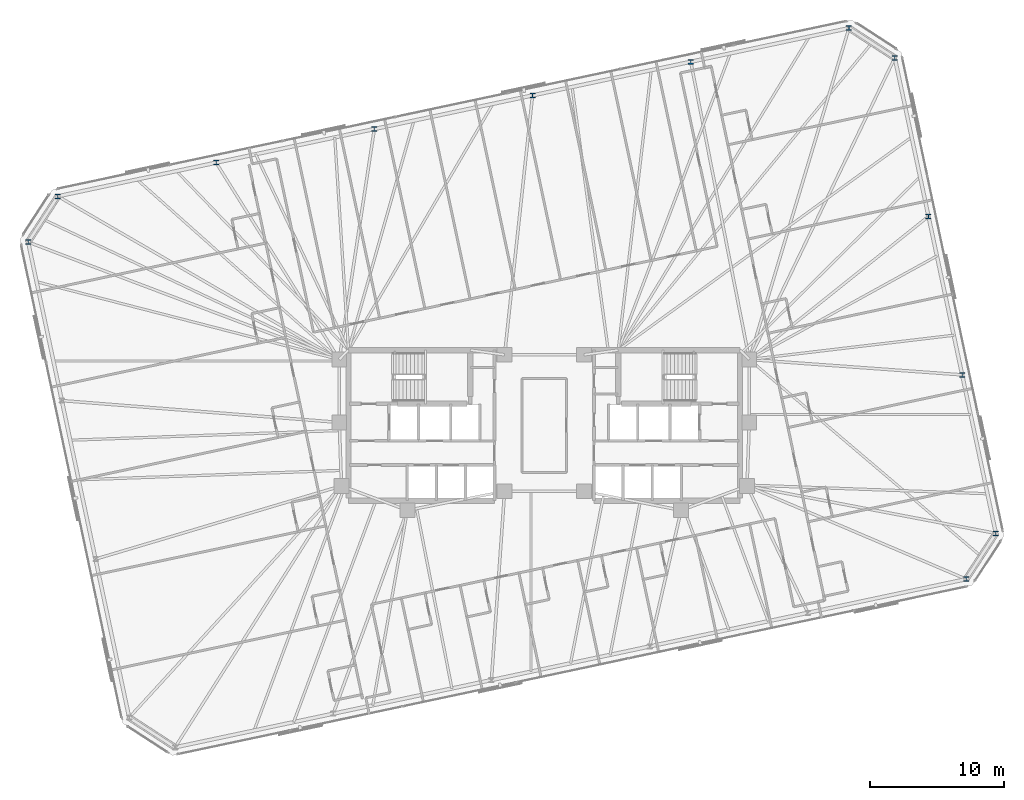
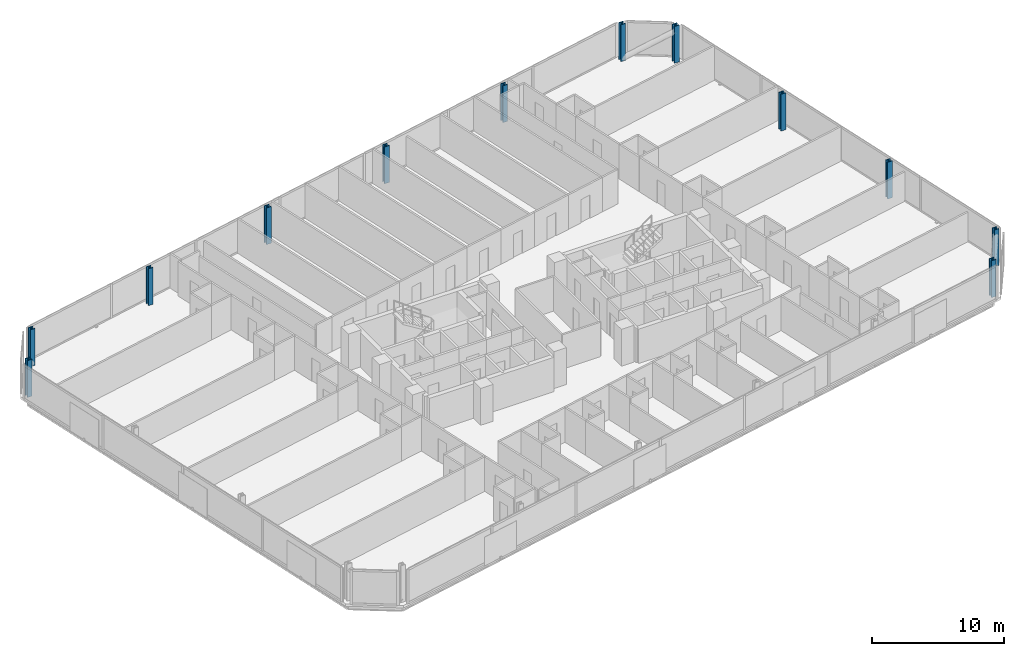
# One storey, part 5 of 21: 12 columns.
"""IFC4 building model written with IfcOpenShell, lengths in metres."""

from ifc_helpers import new_model, si_unit, direction, frame, origin, origin_2d, place, context, subcontext, project, spatial, i_section, extrude, material, material_profile, profile_set, type_object, element, save


model = new_model("IFC4")

# Units and contexts
model_context = context("Model", 3, precision=1e-05, world=origin(), true_north=direction((0.0, 1.0)))
body_context = subcontext(model_context, "Body", "Model", "MODEL_VIEW")
ifc_project = project(units=[si_unit("LENGTHUNIT", "METRE"), si_unit("AREAUNIT", "SQUARE_METRE"), si_unit("VOLUMEUNIT", "CUBIC_METRE"), si_unit("PLANEANGLEUNIT", "RADIAN"), si_unit("MASSUNIT", "GRAM", prefix="KILO")], contexts=[model_context])

# Site, building, storey
site_placement = place(None, origin())
site = spatial("IfcSite", under=ifc_project, at=site_placement, CompositionType="ELEMENT")
building_placement = place(site_placement, origin())
building = spatial("IfcBuilding", under=site, at=building_placement, Name="Menara Jurai Vektor", CompositionType="ELEMENT")
storey_placement = place(building_placement, frame((0.0, 0.0, 168.39990234375)))
storey = spatial("IfcBuildingStorey", under=building, at=storey_placement, Name="L43", CompositionType="ELEMENT", Elevation=168.39990234375)

# Columns
ifc_material = material(Name="Steel S460", Category="steel")
ifc_material_profile = material_profile(ifc_material, i_section(OverallWidth=0.408935546875, OverallDepth=0.3740234375, WebThickness=0.048095703125, FlangeThickness=0.076904296875, FilletRadius=0.014892578125, at=origin_2d()), Name="HD 400x634")
ifc_profile_set = profile_set([ifc_material_profile], Name="Steel S460")
column_type = type_object("IfcColumnType", Name="STR-EXO-BLK3", PredefinedType="COLUMN", material=ifc_profile_set)
for number, where, z_axis, x_axis, name in (
    (1, (31.376220703125, -11.438720703125, 0.0), (0.0, 0.0, 1.0), (1.0, 0.0, 0.0), "Exoskeleton Column BLK3-S6 L43"),
    (2, (33.588623046875, -8.031982421875, 0.0), (0.0, 0.0, 1.0), (1.0, 0.0, 0.0), "Exoskeleton Column BLK3-E1 L43"),
    (3, (31.082763671875, 3.75634765625, 0.0), (0.0, 0.0, 1.0), (1.0, 0.0, 0.0), "Exoskeleton Column BLK3-E2 L43"),
    (4, (28.5771484375, 15.544921875, 0.0), (0.0, 0.0, 1.0), (1.0, 0.0, 0.0), "Exoskeleton Column BLK3-E3 L43"),
    (5, (26.0712890625, 27.33349609375, 0.0), (0.0, 0.0, 1.0), (1.0, 0.0, 0.0), "Exoskeleton Column BLK3-E4 L43"),
    (6, (22.664794921875, 29.545654296875, 0.0), (0.0, 0.0, 1.0), (1.0, 0.0, 0.0), "Exoskeleton Column BLK3-N1 L43"),
    (7, (10.896484375, 27.044189453125, 0.0), (0.0, 0.0, 1.0), (1.0, 0.0, 0.0), "Exoskeleton Column BLK3-N2 L43"),
    (8, (-0.87158203125, 24.54296875, 0.0), (0.0, 0.0, 1.0), (1.0, 0.0, 0.0), "Exoskeleton Column BLK3-N3 L43"),
    (9, (-12.639892578125, 22.04150390625, 0.0), (0.0, 0.0, 1.0), (1.0, 0.0, 0.0), "Exoskeleton Column BLK3-N4 L43"),
    (10, (-24.407958984375, 19.5400390625, 0.0), (0.0, 0.0, 1.0), (1.0, 0.0, 0.0), "Exoskeleton Column BLK3-N5 L43"),
    (11, (-36.17626953125, 17.03857421875, 0.0), (0.0, 0.0, 1.0), (1.0, 0.0, 0.0), "Exoskeleton Column BLK3-N6 L43"),
    (12, (-38.388671875, 13.632080078125, 0.0), (0.0, 0.0, 1.0), (1.0, 0.0, 0.0), "Exoskeleton Column BLK3-W1 L43"),
):
    element("IfcColumn", number, at=place(storey_placement, frame(where, z_axis=z_axis, x_axis=x_axis)), inside=storey, type_object=column_type, Name=name, PredefinedType="COLUMN", context=body_context, shape_type="SweptSolid", body=[
        extrude(i_section(OverallWidth=0.408935546875, OverallDepth=0.3740234375, WebThickness=0.048095703125, FlangeThickness=0.076904296875, FilletRadius=0.014892578125, at=origin_2d()), origin(), (0.0, 0.0, 1.0), 3.400146484375),
    ])

save(model, "model.ifc")
